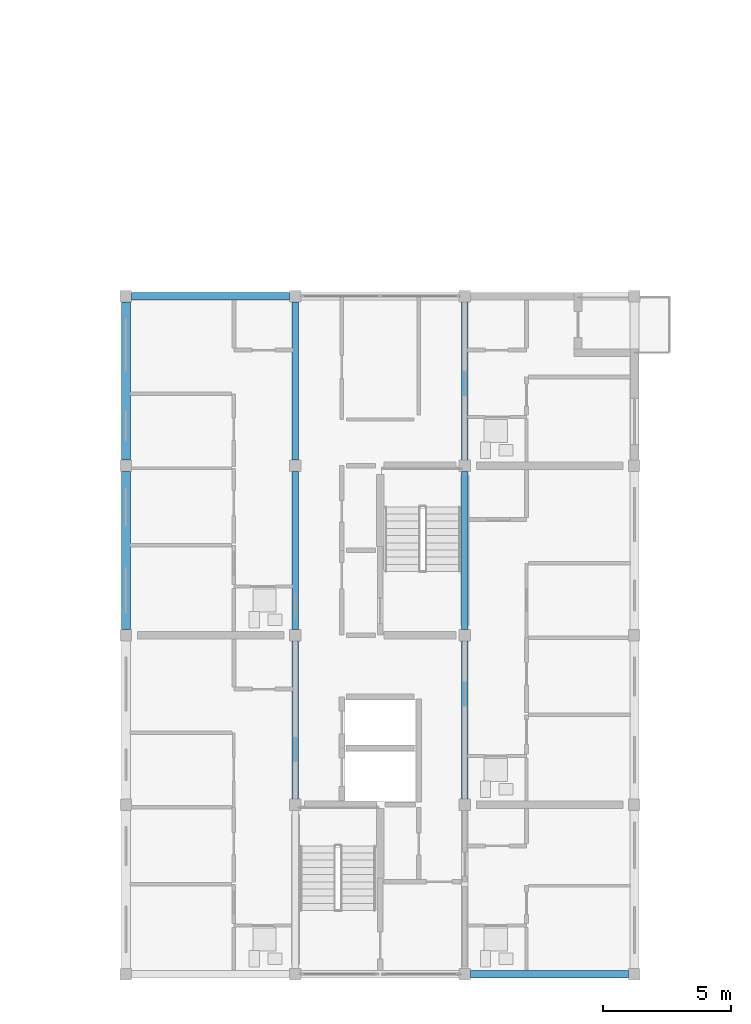
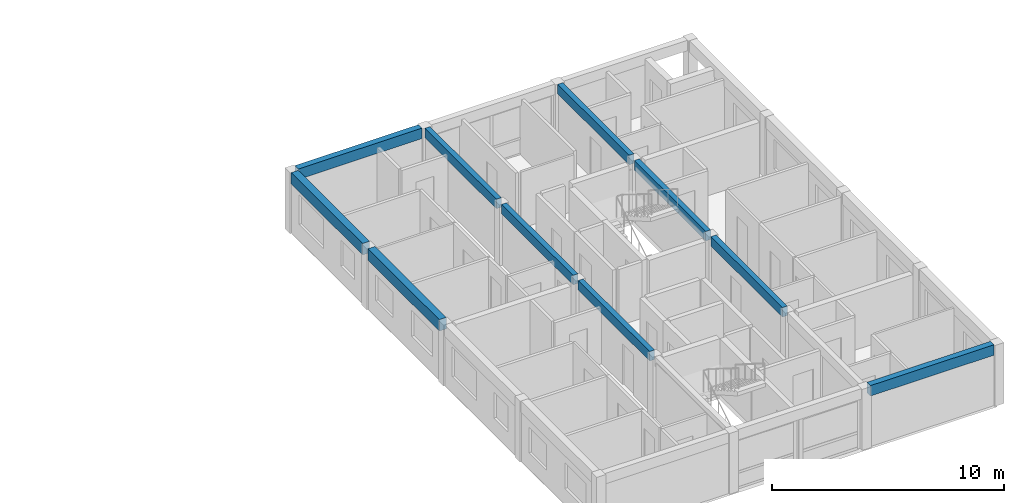
# One storey, part 13 of 45: 10 beams.
"""IFC4 building model written with IfcOpenShell, lengths in metres."""

import ifcopenshell
import ifcopenshell.guid

model = None  # the IFC model being written
_history = None  # IfcOwnerHistory: only IFC2X3 demands one
_inside = {}  # id of a spatial element -> (the spatial element, [elements in it])
_under = {}  # id of a project, library or spatial element -> (it, [spatial elements below it])
_declared = {}  # id of a project -> (the project, [libraries it declares])
_typed = {}  # id of a type object -> (the type object, [elements of that type])
_made_of = {}  # id of a material, layer set ... -> (it, [elements and type objects made of it])


def new_model(schema):
    """Start an empty IFC model of exactly this schema.

    Asked for "IFC4X3", IfcOpenShell would pick the latest addendum, in which some entities
    have other attributes; the version numbers below select the first issue.
    IFC2X3 requires an IfcOwnerHistory on every rooted entity: one is made here for all.
    """
    global model, _history
    if schema == "IFC4X3":
        model = ifcopenshell.file(schema_version=(4, 3, 0, 0))
    else:
        model = ifcopenshell.file(schema=schema)
    _inside.clear()
    _under.clear()
    _declared.clear()
    _typed.clear()
    _made_of.clear()
    _history = None
    if model.schema == "IFC2X3":
        org = make("IfcOrganization", Name="unknown")
        user = make(
            "IfcPersonAndOrganization",
            ThePerson=make("IfcPerson", FamilyName="unknown"),
            TheOrganization=org,
        )
        app = make(
            "IfcApplication",
            ApplicationDeveloper=org,
            Version="unknown",
            ApplicationFullName="unknown",
            ApplicationIdentifier="unknown",
        )
        _history = make(
            "IfcOwnerHistory",
            OwningUser=user,
            OwningApplication=app,
            ChangeAction="ADDED",
            CreationDate=0,
        )
    return model


def make(cls, **values):
    """One entity of the class cls with the attributes given. An attribute that is None is left unset."""
    return model.create_entity(
        cls, **{name: value for name, value in values.items() if value is not None}
    )


def rooted(cls, **values):
    """An entity with a GlobalId (a new one), such as an element, a storey or a relation."""
    return make(cls, GlobalId=ifcopenshell.guid.new(), OwnerHistory=_history, **values)


def si_unit(unit_type, name, prefix=None):
    """IfcSIUnit, for example si_unit("LENGTHUNIT", "METRE", prefix="MILLI")."""
    return make("IfcSIUnit", UnitType=unit_type, Prefix=prefix, Name=name)


def assignment(units):
    """IfcUnitAssignment: the units of a project."""
    return None if units is None else make("IfcUnitAssignment", Units=units)


def point(xyz):
    """IfcCartesianPoint."""
    return None if xyz is None else make("IfcCartesianPoint", Coordinates=xyz)


def direction(xyz):
    """IfcDirection."""
    return None if xyz is None else make("IfcDirection", DirectionRatios=xyz)


def frame(location, z_axis=None, x_axis=None):
    """IfcAxis2Placement3D, a coordinate frame: its origin and axes. An axis left out is left unset."""
    return make(
        "IfcAxis2Placement3D",
        Location=point(location),
        Axis=direction(z_axis),
        RefDirection=direction(x_axis),
    )


def frame_2d(location, x_axis=None):
    """IfcAxis2Placement2D, a coordinate frame in the plane: its origin and x axis."""
    return make(
        "IfcAxis2Placement2D", Location=point(location), RefDirection=direction(x_axis)
    )


def origin():
    """The frame at (0, 0, 0) with its axes left unset."""
    return frame((0.0, 0.0, 0.0))


def origin_2d():
    """The frame at (0, 0) in the plane with its x axis left unset."""
    return frame_2d((0.0, 0.0))


def place(relative_to, where):
    """IfcLocalPlacement: puts the frame where relative to a parent placement (None: the world)."""
    return make(
        "IfcLocalPlacement", PlacementRelTo=relative_to, RelativePlacement=where
    )


def context(
    kind, dimensions, precision=None, world=None, true_north=None, identifier=None
):
    """IfcGeometricRepresentationContext, for example the 3D "Model" context."""
    return make(
        "IfcGeometricRepresentationContext",
        ContextIdentifier=identifier,
        ContextType=kind,
        CoordinateSpaceDimension=dimensions,
        Precision=precision,
        WorldCoordinateSystem=world,
        TrueNorth=true_north,
    )


def subcontext(parent, identifier, kind, view, scale=None):
    """IfcGeometricRepresentationSubContext, for example "Body" below "Model"."""
    return make(
        "IfcGeometricRepresentationSubContext",
        ContextIdentifier=identifier,
        ContextType=kind,
        ParentContext=parent,
        TargetScale=scale,
        TargetView=view,
    )


def project(units=None, contexts=None):
    """IfcProject with its units and contexts."""
    return rooted(
        "IfcProject",
        Name="project",
        RepresentationContexts=contexts,
        UnitsInContext=assignment(units),
    )


def spatial(cls, under=None, at=None, **own):
    """A site, building, storey or space (cls), placed at a placement, below another one or the project."""
    s = rooted(cls, ObjectPlacement=at, **own)
    if under is not None:
        _under.setdefault(under.id(), (under, []))[1].append(s)
    return s


def profile(cls, at=None, kind="AREA", **sizes):
    """A parametric profile (cls). Its sizes go by their IFC names, for example OverallWidth=200.0."""
    return make(cls, ProfileType=kind, Position=at, **sizes)


def rectangle(**sizes):
    """IfcRectangleProfileDef."""
    return profile("IfcRectangleProfileDef", **sizes)


def extrude(swept, where, along, depth):
    """IfcExtrudedAreaSolid: the profile swept, set in the frame where, extruded along a direction by depth."""
    return make(
        "IfcExtrudedAreaSolid",
        SweptArea=swept,
        Position=where,
        ExtrudedDirection=direction(along),
        Depth=depth,
    )


def shape(context_of_items, identifier, shape_type, items):
    """IfcShapeRepresentation: the items that make up one representation, for example the "Body"."""
    return make(
        "IfcShapeRepresentation",
        ContextOfItems=context_of_items,
        RepresentationIdentifier=identifier,
        RepresentationType=shape_type,
        Items=items,
    )


def material(Name=None, Category=None):
    """IfcMaterial."""
    return make("IfcMaterial", Name=Name, Category=Category)


def material_profile(
    of_material, cross_section, Name=None, Category=None, Priority=None
):
    """IfcMaterialProfile: a cross section and its material."""
    return make(
        "IfcMaterialProfile",
        Name=Name,
        Material=of_material,
        Profile=cross_section,
        Priority=Priority,
        Category=Category,
    )


def profile_set(profiles, Name=None, composite=None):
    """IfcMaterialProfileSet."""
    return make(
        "IfcMaterialProfileSet",
        Name=Name,
        MaterialProfiles=profiles,
        CompositeProfile=composite,
    )


def made_of(thing, what):
    """Note that an element or type object is made of a material, layer set ...; save() writes the relation."""
    if what is not None:
        _made_of.setdefault(what.id(), (what, []))[1].append(thing)
    return thing


def type_object(cls, material=None, **own):
    """A type object (cls), such as IfcWallType, which elements share."""
    return made_of(rooted(cls, **own), material)


def element(
    cls,
    number,
    at=None,
    inside=None,
    cuts=None,
    type_object=None,
    material=None,
    context=None,
    identifier="Body",
    shape_type=None,
    held_by="IfcProductDefinitionShape",
    body=None,
    shapes=None,
    **own,
):
    """One element of the class cls, such as IfcWall. Its Tag is "e" and its number.

    at: its placement. inside: the storey or other place that contains it. cuts: it is an
    opening in that element (IfcRelVoidsElement). A single representation is given by context,
    identifier, shape_type and body (its items); several are given by shapes. held_by: the class
    of the entity that holds the representations. save() writes the other relations.
    """
    e = rooted(cls, Tag="e%d" % number, ObjectPlacement=at, **own)
    if body is not None:
        shapes = [shape(context, identifier, shape_type, body)]
    if shapes is not None:
        e.Representation = make(held_by, Representations=shapes)
    if inside is not None:
        _inside.setdefault(inside.id(), (inside, []))[1].append(e)
    if cuts is not None:
        rooted(
            "IfcRelVoidsElement", RelatingBuildingElement=cuts, RelatedOpeningElement=e
        )
    if type_object is not None:
        _typed.setdefault(type_object.id(), (type_object, []))[1].append(e)
    return made_of(e, material)


def aggregate(whole, parts):
    """IfcRelAggregates: a whole, such as a stair, and the parts it consists of."""
    return rooted("IfcRelAggregates", RelatingObject=whole, RelatedObjects=parts)


def save(model, path):
    """Write the relations noted so far, then the file.

    IfcRelAggregates (storeys below a building ...), IfcRelContainedInSpatialStructure (elements
    in a storey), IfcRelDefinesByType, IfcRelAssociatesMaterial and IfcRelDeclares: one each for
    every whole, place, type object, material and project.
    """
    for whole, parts in _under.values():
        aggregate(whole, parts)
    for where, things in _inside.values():
        rooted(
            "IfcRelContainedInSpatialStructure",
            RelatedElements=things,
            RelatingStructure=where,
        )
    for kind, things in _typed.values():
        rooted("IfcRelDefinesByType", RelatedObjects=things, RelatingType=kind)
    for what, things in _made_of.values():
        rooted("IfcRelAssociatesMaterial", RelatedObjects=things, RelatingMaterial=what)
    for by, libraries in _declared.values():
        rooted("IfcRelDeclares", RelatingContext=by, RelatedDefinitions=libraries)
    model.write(path)


model = new_model("IFC4")

# Units and contexts
model_context = context("Model", 3, precision=1e-05, world=origin(), true_north=direction((0.0, 1.0)))
body_context = subcontext(model_context, "Body", "Model", "MODEL_VIEW")
ifc_project = project(units=[si_unit("LENGTHUNIT", "METRE"), si_unit("AREAUNIT", "SQUARE_METRE"), si_unit("VOLUMEUNIT", "CUBIC_METRE"), si_unit("PLANEANGLEUNIT", "RADIAN"), si_unit("MASSUNIT", "GRAM", prefix="KILO")], contexts=[model_context])

# Site, building, storey
site_placement = place(None, origin())
site = spatial("IfcSite", under=ifc_project, at=site_placement, CompositionType="ELEMENT")
building_placement = place(site_placement, origin())
building = spatial("IfcBuilding", under=site, at=building_placement, Name="Kernevlak Ridge Housing Community", CompositionType="ELEMENT")
storey_placement = place(building_placement, frame((0.0, 0.0, 14.800048828125)))
storey = spatial("IfcBuildingStorey", under=building, at=storey_placement, Name="L04", CompositionType="ELEMENT", Elevation=14.800048828125)

# Beams
ifc_material = material(Name="Concrete C35/45", Category="concrete")
ifc_material_profile_1 = material_profile(ifc_material, rectangle(XDim=0.25, YDim=0.5, at=origin_2d()), Name="RC 250x500")
ifc_profile_set_1 = profile_set([ifc_material_profile_1], Name="Concrete C35/45")
beam_type_1 = type_object("IfcBeamType", Name="B-06", PredefinedType="T_BEAM", material=ifc_profile_set_1)
beam_1_placement = place(storey_placement, frame((132.60009765625, 22.425048828125, 2.949951171875), z_axis=(0.0, 1.0, 0.0), x_axis=(-1.0, 0.0, 0.0)))
element("IfcBeam", 1, at=beam_1_placement, inside=storey, type_object=beam_type_1, Name="Beam B-06 L04 1095", PredefinedType="T_BEAM", context=body_context, shape_type="SweptSolid", body=[
    extrude(rectangle(XDim=0.25, YDim=0.5, at=origin_2d()), origin(), (0.0, 0.0, 1.0), 6.14990234375),
])
beam_2_placement = place(storey_placement, frame((132.60009765625, 29.02490234375, 2.949951171875), z_axis=(0.0, 1.0, 0.0), x_axis=(-1.0, 0.0, 0.0)))
element("IfcBeam", 2, at=beam_2_placement, inside=storey, type_object=beam_type_1, Name="Beam B-06 L04 1096", PredefinedType="T_BEAM", context=body_context, shape_type="SweptSolid", body=[
    extrude(rectangle(XDim=0.25, YDim=0.5, at=origin_2d()), origin(), (0.0, 0.0, 1.0), 6.150146484375),
])
for number, where, z_axis, x_axis, name in (
    (3, (132.60009765625, 35.625, 2.949951171875), (0.0, 1.0, 0.0), (-1.0, 0.0, 0.0), "Beam B-06 L04 1097"),
    (4, (139.199951171875, 22.425048828125, 2.949951171875), (0.0, 1.0, 0.0), (-1.0, 0.0, 0.0), "Beam B-06 L04 1099"),
):
    element("IfcBeam", number, at=place(storey_placement, frame(where, z_axis=z_axis, x_axis=x_axis)), inside=storey, type_object=beam_type_1, Name=name, PredefinedType="T_BEAM", context=body_context, shape_type="SweptSolid", body=[
        extrude(rectangle(XDim=0.25, YDim=0.5, at=origin_2d()), origin(), (0.0, 0.0, 1.0), 6.14990234375),
    ])
beam_3_placement = place(storey_placement, frame((139.199951171875, 29.02490234375, 2.949951171875), z_axis=(0.0, 1.0, 0.0), x_axis=(-1.0, 0.0, 0.0)))
element("IfcBeam", 5, at=beam_3_placement, inside=storey, type_object=beam_type_1, Name="Beam B-06 L04 1100", PredefinedType="T_BEAM", context=body_context, shape_type="SweptSolid", body=[
    extrude(rectangle(XDim=0.25, YDim=0.5, at=origin_2d()), origin(), (0.0, 0.0, 1.0), 6.150146484375),
])
beam_4_placement = place(storey_placement, frame((139.199951171875, 35.625, 2.949951171875), z_axis=(0.0, 1.0, 0.0), x_axis=(-1.0, 0.0, 0.0)))
element("IfcBeam", 6, at=beam_4_placement, inside=storey, type_object=beam_type_1, Name="Beam B-06 L04 1101", PredefinedType="T_BEAM", context=body_context, shape_type="SweptSolid", body=[
    extrude(rectangle(XDim=0.25, YDim=0.5, at=origin_2d()), origin(), (0.0, 0.0, 1.0), 6.14990234375),
])
ifc_material_profile_2 = material_profile(ifc_material, rectangle(XDim=0.300048828125, YDim=0.550048828125, at=origin_2d()), Name="RC 300x550")
ifc_profile_set_2 = profile_set([ifc_material_profile_2], Name="Concrete C35/45")
beam_type_2 = type_object("IfcBeamType", Name="SP-01", PredefinedType="SPANDREL", material=ifc_profile_set_2)
for number, where, z_axis, x_axis, name in (
    (7, (139.425048828125, 15.60009765625, 2.925048828125), (1.0, 0.0, 0.0), (0.0, 1.0, 0.0), "Beam SP-01 L04 1108"),
    (8, (126.22509765625, 42.0, 2.925048828125), (1.0, 0.0, 0.0), (0.0, 1.0, 0.0), "Beam SP-01 L04 1109"),
):
    element("IfcBeam", number, at=place(storey_placement, frame(where, z_axis=z_axis, x_axis=x_axis)), inside=storey, type_object=beam_type_2, Name=name, PredefinedType="SPANDREL", context=body_context, shape_type="SweptSolid", body=[
        extrude(rectangle(XDim=0.300048828125, YDim=0.550048828125, at=origin_2d()), origin(), (0.0, 0.0, 1.0), 6.14990234375),
    ])
ifc_material_profile_3 = material_profile(ifc_material, rectangle(XDim=0.35009765625, YDim=0.60009765625, at=origin_2d()), Name="RC 350x600")
ifc_profile_set_3 = profile_set([ifc_material_profile_3], Name="Concrete C35/45")
beam_type_3 = type_object("IfcBeamType", Name="SP-03", PredefinedType="SPANDREL", material=ifc_profile_set_3)
beam_5_placement = place(storey_placement, frame((126.0, 29.02490234375, 2.89990234375), z_axis=(0.0, 1.0, 0.0), x_axis=(-1.0, 0.0, 0.0)))
element("IfcBeam", 9, at=beam_5_placement, inside=storey, type_object=beam_type_3, Name="Beam SP-03 L04 1092", PredefinedType="SPANDREL", context=body_context, shape_type="SweptSolid", body=[
    extrude(rectangle(XDim=0.35009765625, YDim=0.60009765625, at=origin_2d()), origin(), (0.0, 0.0, 1.0), 6.150146484375),
])
beam_6_placement = place(storey_placement, frame((126.0, 35.625, 2.89990234375), z_axis=(0.0, 1.0, 0.0), x_axis=(-1.0, 0.0, 0.0)))
element("IfcBeam", 10, at=beam_6_placement, inside=storey, type_object=beam_type_3, Name="Beam SP-03 L04 1093", PredefinedType="SPANDREL", context=body_context, shape_type="SweptSolid", body=[
    extrude(rectangle(XDim=0.35009765625, YDim=0.60009765625, at=origin_2d()), origin(), (0.0, 0.0, 1.0), 6.14990234375),
])

save(model, "model.ifc")
